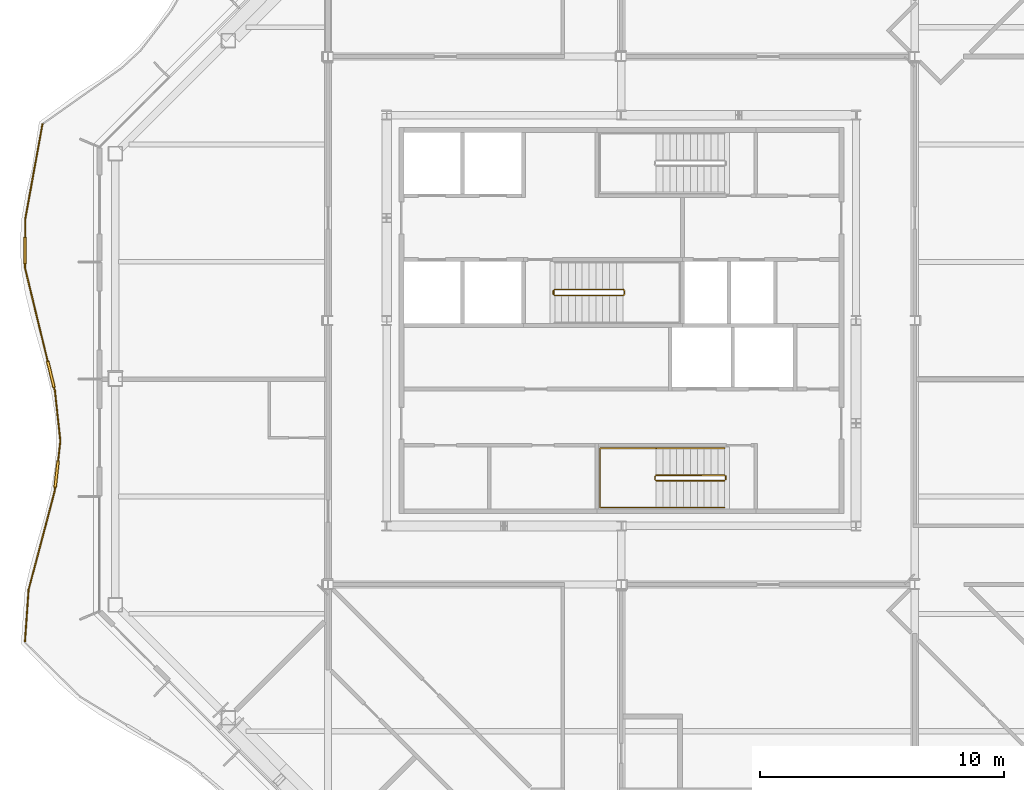
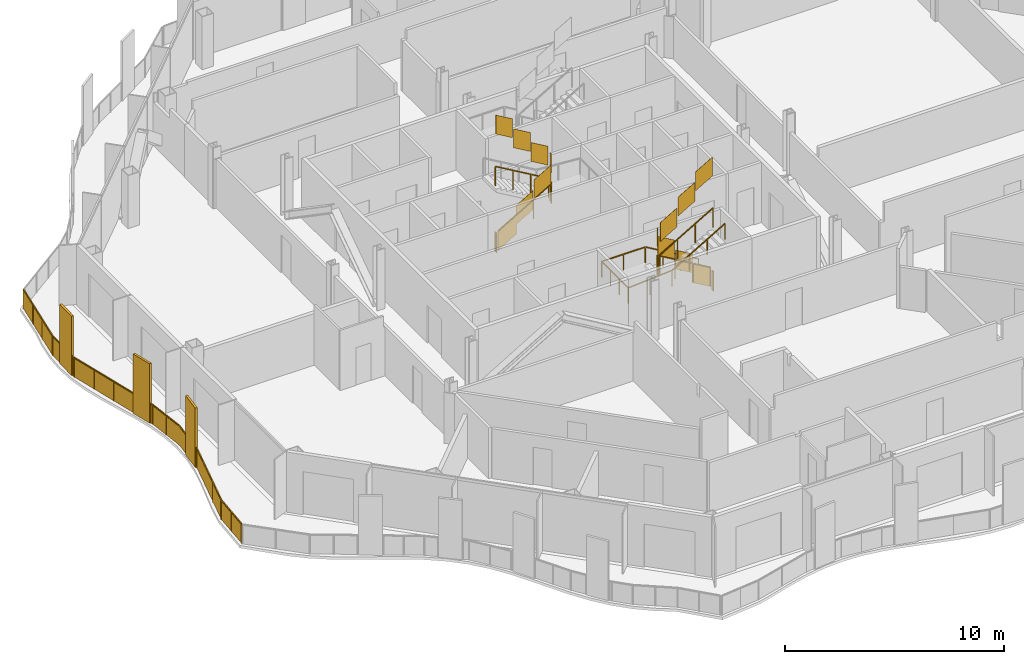
# One storey, part 16 of 19: 6 railings.
"""IFC4 building model written with IfcOpenShell, lengths in metres."""

from ifc_helpers import new_model, si_unit, direction, frame, origin, origin_2d, place, context, subcontext, project, spatial, polyline, rectangle, outline, extrude, material, type_object, element, save


model = new_model("IFC4")

# Units and contexts
model_context = context("Model", 3, precision=1e-05, world=origin(), true_north=direction((0.0, 1.0)))
body_context = subcontext(model_context, "Body", "Model", "MODEL_VIEW")
ifc_project = project(units=[si_unit("LENGTHUNIT", "METRE"), si_unit("AREAUNIT", "SQUARE_METRE"), si_unit("VOLUMEUNIT", "CUBIC_METRE"), si_unit("PLANEANGLEUNIT", "RADIAN"), si_unit("MASSUNIT", "GRAM", prefix="KILO")], contexts=[model_context])

# Site, building, storey
site_placement = place(None, origin())
site = spatial("IfcSite", under=ifc_project, at=site_placement, CompositionType="ELEMENT")
building_placement = place(site_placement, origin())
building = spatial("IfcBuilding", under=site, at=building_placement, Name="Cairn Pilgrim Tower", CompositionType="ELEMENT")
storey_placement = place(building_placement, frame((0.0, 0.0, 201.0)))
storey = spatial("IfcBuildingStorey", under=building, at=storey_placement, Name="L51", CompositionType="ELEMENT", Elevation=201.0)

# Railings
ifc_material_1 = material(Name="Bronze anodised aluminium rail, posts and fin screens with laminated glass infill", Category="aluminium")
railing_type_1 = type_object("IfcRailingType", Name="BALCONY GUARD WITH FIN SCREENS", PredefinedType="GUARDRAIL", material=ifc_material_1)
railing_1_placement = place(storey_placement, frame((-16.482177734375, 10.43212890625, 0.0)))
element("IfcRailing", 1, at=railing_1_placement, inside=storey, type_object=railing_type_1, Name="Balcony guard BGF-7 with fin screens", PredefinedType="GUARDRAIL", context=body_context, shape_type="SweptSolid", body=[
    extrude(rectangle(XDim=0.050048828125, YDim=0.050048828125, at=origin_2d()), frame((0.0, 0.0, 1.0751953125), z_axis=(-0.178176650174, -0.983998516936, 0.0), x_axis=(0.983998516936, -0.178176650174, 0.0)), (0.0, 0.0, 1.0), 3.940673828125),
    extrude(rectangle(XDim=1.10009765625, YDim=0.110107421875, at=origin_2d()), frame((-0.71142578125, -5.167236328125, 0.0), z_axis=(0.0, 0.0, 1.0), x_axis=(-0.007239074117, -0.99997379756, 0.0)), (0.0, 0.0, 1.0), 3.300048828125),
    extrude(rectangle(XDim=0.050048828125, YDim=0.050048828125, at=origin_2d()), frame((-0.7021484375, -3.877685546875, 1.0751953125), z_axis=(-0.007239074117, -0.99997379756, 0.0), x_axis=(0.99997379756, -0.007239074117, 0.0)), (0.0, 0.0, 1.0), 0.73974609375),
    extrude(rectangle(XDim=0.050048828125, YDim=0.050048828125, at=origin_2d()), frame((-0.715576171875, -5.71728515625, 1.0751953125), z_axis=(-0.007239074117, -0.99997379756, 0.0), x_axis=(0.99997379756, -0.007239074117, 0.0)), (0.0, 0.0, 1.0), 0.150146484375),
    extrude(rectangle(XDim=1.10009765625, YDim=0.110107421875, at=origin_2d()), frame((0.344970703125, -10.231201171875, 0.0), z_axis=(0.0, 0.0, 1.0), x_axis=(0.23637798131, -0.971661180634, 0.0)), (0.0, 0.0, 1.0), 3.300048828125),
    extrude(rectangle(XDim=0.050048828125, YDim=0.050048828125, at=origin_2d()), frame((-0.716552734375, -5.867431640625, 1.0751953125), z_axis=(0.23637798131, -0.971661180634, 0.0), x_axis=(0.971661180634, 0.23637798131, 0.0)), (0.0, 0.0, 1.0), 3.941162109375),
    extrude(rectangle(XDim=0.050048828125, YDim=0.050048828125, at=origin_2d()), frame((0.47509765625, -10.765625, 1.0751953125), z_axis=(0.23637798131, -0.971661180634, 0.0), x_axis=(0.971661180634, 0.23637798131, 0.0)), (0.0, 0.0, 1.0), 0.14990234375),
    extrude(rectangle(XDim=0.050048828125, YDim=0.050048828125, at=origin_2d()), frame((0.510498046875, -10.911376953125, 1.0751953125), z_axis=(0.108115215138, -0.994138370779, 0.0), x_axis=(0.994138370779, 0.108115215138, 0.0)), (0.0, 0.0, 1.0), 2.059326171875),
    extrude(rectangle(XDim=1.10009765625, YDim=0.110107421875, at=origin_2d()), frame((0.580322265625, -14.3115234375, 0.0), z_axis=(0.0, 0.0, 1.0), x_axis=(-0.112263989917, -0.993678417079, 0.0)), (0.0, 0.0, 1.0), 3.300048828125),
    extrude(rectangle(XDim=0.050048828125, YDim=0.050048828125, at=origin_2d()), frame((0.733154296875, -12.958740234375, 1.0751953125), z_axis=(-0.112263989917, -0.993678417079, 0.0), x_axis=(0.993678417079, -0.112263989917, 0.0)), (0.0, 0.0, 1.0), 0.8115234375),
    extrude(rectangle(XDim=0.050048828125, YDim=0.050048828125, at=origin_2d()), frame((0.5185546875, -14.858154296875, 1.0751953125), z_axis=(-0.112263989917, -0.993678417079, 0.0), x_axis=(0.993678417079, -0.112263989917, 0.0)), (0.0, 0.0, 1.0), 0.150146484375),
    extrude(rectangle(XDim=0.050048828125, YDim=0.050048828125, at=origin_2d()), frame((0.501708984375, -15.00732421875, 1.0751953125), z_axis=(-0.255727114517, -0.966749007189, 0.0), x_axis=(0.966749007189, -0.255727114517, 0.0)), (0.0, 0.0, 1.0), 4.177734375),
    extrude(rectangle(XDim=0.050048828125, YDim=0.050048828125, at=origin_2d()), frame((-0.566650390625, -19.046142578125, 1.0751953125), z_axis=(-0.069425726932, -0.997587123233, 0.0), x_axis=(0.997587123233, -0.069425726932, 0.0)), (0.0, 0.0, 1.0), 2.095947265625),
    extrude(rectangle(XDim=0.050048828125, YDim=0.050048828125, at=origin_2d()), origin(), (0.0, 0.0, 1.0), 1.050048828125),
    extrude(rectangle(XDim=0.050048828125, YDim=0.050048828125, at=origin_2d()), frame((-0.234130859375, -1.29248046875, 0.0)), (0.0, 0.0, 1.0), 1.050048828125),
    extrude(rectangle(XDim=0.050048828125, YDim=0.050048828125, at=origin_2d()), frame((-0.468017578125, -2.585205078125, 0.0)), (0.0, 0.0, 1.0), 1.050048828125),
    extrude(rectangle(XDim=0.050048828125, YDim=0.050048828125, at=origin_2d()), frame((-0.7021484375, -3.877685546875, 0.0)), (0.0, 0.0, 1.0), 1.050048828125),
    extrude(rectangle(XDim=0.050048828125, YDim=0.050048828125, at=origin_2d()), frame((-0.707275390625, -4.59228515625, 0.0)), (0.0, 0.0, 1.0), 1.050048828125),
    extrude(rectangle(XDim=0.050048828125, YDim=0.050048828125, at=origin_2d()), frame((-0.715576171875, -5.742431640625, 0.0)), (0.0, 0.0, 1.0), 1.050048828125),
    extrude(rectangle(XDim=0.050048828125, YDim=0.050048828125, at=origin_2d()), frame((-0.716552734375, -5.867431640625, 0.0)), (0.0, 0.0, 1.0), 1.050048828125),
    extrude(rectangle(XDim=0.050048828125, YDim=0.050048828125, at=origin_2d()), frame((-0.407958984375, -7.1357421875, 0.0)), (0.0, 0.0, 1.0), 1.050048828125),
    extrude(rectangle(XDim=0.050048828125, YDim=0.050048828125, at=origin_2d()), frame((-0.099365234375, -8.404052734375, 0.0)), (0.0, 0.0, 1.0), 1.050048828125),
    extrude(rectangle(XDim=0.050048828125, YDim=0.050048828125, at=origin_2d()), frame((0.209228515625, -9.672607421875, 0.0)), (0.0, 0.0, 1.0), 1.050048828125),
    extrude(rectangle(XDim=0.050048828125, YDim=0.050048828125, at=origin_2d()), frame((0.48095703125, -10.7900390625, 0.0)), (0.0, 0.0, 1.0), 1.050048828125),
    extrude(rectangle(XDim=0.050048828125, YDim=0.050048828125, at=origin_2d()), frame((0.510498046875, -10.911376953125, 0.0)), (0.0, 0.0, 1.0), 1.050048828125),
    extrude(rectangle(XDim=0.050048828125, YDim=0.050048828125, at=origin_2d()), frame((0.621826171875, -11.93505859375, 0.0)), (0.0, 0.0, 1.0), 1.050048828125),
    extrude(rectangle(XDim=0.050048828125, YDim=0.050048828125, at=origin_2d()), frame((0.733154296875, -12.958740234375, 0.0)), (0.0, 0.0, 1.0), 1.050048828125),
    extrude(rectangle(XDim=0.050048828125, YDim=0.050048828125, at=origin_2d()), frame((0.644775390625, -13.740234375, 0.0)), (0.0, 0.0, 1.0), 1.050048828125),
    extrude(rectangle(XDim=0.050048828125, YDim=0.050048828125, at=origin_2d()), frame((0.515869140625, -14.883056640625, 0.0)), (0.0, 0.0, 1.0), 1.050048828125),
    extrude(rectangle(XDim=0.050048828125, YDim=0.050048828125, at=origin_2d()), frame((0.501708984375, -15.00732421875, 0.0)), (0.0, 0.0, 1.0), 1.050048828125),
    extrude(rectangle(XDim=0.050048828125, YDim=0.050048828125, at=origin_2d()), frame((0.1455078125, -16.353515625, 0.0)), (0.0, 0.0, 1.0), 1.050048828125),
    extrude(rectangle(XDim=0.050048828125, YDim=0.050048828125, at=origin_2d()), frame((-0.21044921875, -17.699951171875, 0.0)), (0.0, 0.0, 1.0), 1.050048828125),
    extrude(rectangle(XDim=0.050048828125, YDim=0.050048828125, at=origin_2d()), frame((-0.566650390625, -19.046142578125, 0.0)), (0.0, 0.0, 1.0), 1.050048828125),
    extrude(rectangle(XDim=0.050048828125, YDim=0.050048828125, at=origin_2d()), frame((-0.639404296875, -20.091552734375, 0.0)), (0.0, 0.0, 1.0), 1.050048828125),
    extrude(rectangle(XDim=0.050048828125, YDim=0.050048828125, at=origin_2d()), frame((-0.712158203125, -21.136962890625, 0.0)), (0.0, 0.0, 1.0), 1.050048828125),
    extrude(outline(polyline([(0.02490234375, 0.0), (1.28857421875, 0.0), (1.28857421875, 1.050048828125), (0.02490234375, 1.050048828125), (0.02490234375, 0.0)])), frame((0.005859375, -0.0009765625, 0.0), z_axis=(-0.983998516936, 0.178176650174, 0.0), x_axis=(-0.178176650174, -0.983998516936, 0.0)), (0.0, 0.0, 1.0), 0.011962890625),
    extrude(outline(polyline([(0.02490234375, 0.0), (1.28857421875, 0.0), (1.28857421875, 1.050048828125), (0.02490234375, 1.050048828125), (0.02490234375, 0.0)])), frame((-0.228271484375, -1.293701171875, 0.0), z_axis=(-0.983998516936, 0.178176650174, 0.0), x_axis=(-0.178176650174, -0.983998516936, 0.0)), (0.0, 0.0, 1.0), 0.011962890625),
    extrude(outline(polyline([(0.02490234375, 0.0), (1.28857421875, 0.0), (1.28857421875, 1.050048828125), (0.02490234375, 1.050048828125), (0.02490234375, 0.0)])), frame((-0.462158203125, -2.586181640625, 0.0), z_axis=(-0.983998516936, 0.178176650174, 0.0), x_axis=(-0.178176650174, -0.983998516936, 0.0)), (0.0, 0.0, 1.0), 0.011962890625),
    extrude(outline(polyline([(0.02490234375, 0.0), (0.689697265625, 0.0), (0.689697265625, 1.050048828125), (0.02490234375, 1.050048828125), (0.02490234375, 0.0)])), frame((-0.6962890625, -3.877685546875, 0.0), z_axis=(-0.99997379756, 0.007239074117, 0.0), x_axis=(-0.007239074117, -0.99997379756, 0.0)), (0.0, 0.0, 1.0), 0.011962890625),
    extrude(outline(polyline([(0.02490234375, 0.0), (0.10009765625, 0.0), (0.10009765625, 1.050048828125), (0.02490234375, 1.050048828125), (0.02490234375, 0.0)])), frame((-0.709716796875, -5.742431640625, 0.0), z_axis=(-0.99997379756, 0.007239074117, 0.0), x_axis=(-0.007239074117, -0.99997379756, 0.0)), (0.0, 0.0, 1.0), 0.011962890625),
    extrude(outline(polyline([(0.02490234375, 0.0), (1.2802734375, 0.0), (1.2802734375, 1.050048828125), (0.02490234375, 1.050048828125), (0.02490234375, 0.0)])), frame((-0.710693359375, -5.865966796875, 0.0), z_axis=(-0.971661180634, -0.23637798131, 0.0), x_axis=(0.23637798131, -0.971661180634, 0.0)), (0.0, 0.0, 1.0), 0.011962890625),
    extrude(outline(polyline([(0.02490234375, 0.0), (1.2802734375, 0.0), (1.2802734375, 1.050048828125), (0.02490234375, 1.050048828125), (0.02490234375, 0.0)])), frame((-0.402099609375, -7.13427734375, 0.0), z_axis=(-0.971661180634, -0.23637798131, 0.0), x_axis=(0.23637798131, -0.971661180634, 0.0)), (0.0, 0.0, 1.0), 0.011962890625),
    extrude(outline(polyline([(0.02490234375, 0.0), (1.2802734375, 0.0), (1.2802734375, 1.050048828125), (0.02490234375, 1.050048828125), (0.02490234375, 0.0)])), frame((-0.09375, -8.40283203125, 0.0), z_axis=(-0.971661180634, -0.23637798131, 0.0), x_axis=(0.23637798131, -0.971661180634, 0.0)), (0.0, 0.0, 1.0), 0.011962890625),
    extrude(outline(polyline([(0.02490234375, 0.0), (0.099853515625, 0.0), (0.099853515625, 1.050048828125), (0.02490234375, 1.050048828125), (0.02490234375, 0.0)])), frame((0.48681640625, -10.78857421875, 0.0), z_axis=(-0.971661180634, -0.23637798131, 0.0), x_axis=(0.23637798131, -0.971661180634, 0.0)), (0.0, 0.0, 1.0), 0.011962890625),
    extrude(outline(polyline([(0.02490234375, 0.0), (1.004638671875, 0.0), (1.004638671875, 1.050048828125), (0.02490234375, 1.050048828125), (0.02490234375, 0.0)])), frame((0.516357421875, -10.91064453125, 0.0), z_axis=(-0.994138370779, -0.108115215138, 0.0), x_axis=(0.108115215138, -0.994138370779, 0.0)), (0.0, 0.0, 1.0), 0.011962890625),
    extrude(outline(polyline([(0.02490234375, 0.0), (1.004638671875, 0.0), (1.004638671875, 1.050048828125), (0.02490234375, 1.050048828125), (0.02490234375, 0.0)])), frame((0.627685546875, -11.934326171875, 0.0), z_axis=(-0.994138370779, -0.108115215138, 0.0), x_axis=(0.108115215138, -0.994138370779, 0.0)), (0.0, 0.0, 1.0), 0.011962890625),
    extrude(outline(polyline([(0.02490234375, 0.0), (0.761474609375, 0.0), (0.761474609375, 1.050048828125), (0.02490234375, 1.050048828125), (0.02490234375, 0.0)])), frame((0.739013671875, -12.95947265625, 0.0), z_axis=(-0.993678417079, 0.112263989917, 0.0), x_axis=(-0.112263989917, -0.993678417079, 0.0)), (0.0, 0.0, 1.0), 0.011962890625),
    extrude(outline(polyline([(0.02490234375, 0.0), (0.10009765625, 0.0), (0.10009765625, 1.050048828125), (0.02490234375, 1.050048828125), (0.02490234375, 0.0)])), frame((0.521728515625, -14.883544921875, 0.0), z_axis=(-0.993678417079, 0.112263989917, 0.0), x_axis=(-0.112263989917, -0.993678417079, 0.0)), (0.0, 0.0, 1.0), 0.011962890625),
    extrude(outline(polyline([(0.02490234375, 0.0), (1.367431640625, 0.0), (1.367431640625, 1.050048828125), (0.02490234375, 1.050048828125), (0.02490234375, 0.0)])), frame((0.507568359375, -15.0087890625, 0.0), z_axis=(-0.966749007189, 0.255727114517, 0.0), x_axis=(-0.255727114517, -0.966749007189, 0.0)), (0.0, 0.0, 1.0), 0.011962890625),
    extrude(outline(polyline([(0.02490234375, 0.0), (1.367431640625, 0.0), (1.367431640625, 1.050048828125), (0.02490234375, 1.050048828125), (0.02490234375, 0.0)])), frame((0.1513671875, -16.355224609375, 0.0), z_axis=(-0.966749007189, 0.255727114517, 0.0), x_axis=(-0.255727114517, -0.966749007189, 0.0)), (0.0, 0.0, 1.0), 0.011962890625),
    extrude(outline(polyline([(0.02490234375, 0.0), (1.367431640625, 0.0), (1.367431640625, 1.050048828125), (0.02490234375, 1.050048828125), (0.02490234375, 0.0)])), frame((-0.204833984375, -17.701416015625, 0.0), z_axis=(-0.966749007189, 0.255727114517, 0.0), x_axis=(-0.255727114517, -0.966749007189, 0.0)), (0.0, 0.0, 1.0), 0.011962890625),
    extrude(outline(polyline([(0.02490234375, 0.0), (1.02294921875, 0.0), (1.02294921875, 1.050048828125), (0.02490234375, 1.050048828125), (0.02490234375, 0.0)])), frame((-0.560791015625, -19.046630859375, 0.0), z_axis=(-0.997587123233, 0.069425726932, 0.0), x_axis=(-0.069425726932, -0.997587123233, 0.0)), (0.0, 0.0, 1.0), 0.011962890625),
    extrude(outline(polyline([(0.02490234375, 0.0), (1.02294921875, 0.0), (1.02294921875, 1.050048828125), (0.02490234375, 1.050048828125), (0.02490234375, 0.0)])), frame((-0.633544921875, -20.092041015625, 0.0), z_axis=(-0.997587123233, 0.069425726932, 0.0), x_axis=(-0.069425726932, -0.997587123233, 0.0)), (0.0, 0.0, 1.0), 0.011962890625),
])
ifc_material_2 = material(Name="Painted steel", Category="steel")
railing_type_2 = type_object("IfcRailingType", Name="STAIR GUARD 1100", PredefinedType="GUARDRAIL", material=ifc_material_2)
railing_2_placement = place(storey_placement, frame((11.425048828125, -3.925048828125, 0.16357421875)))
element("IfcRailing", 2, at=railing_2_placement, inside=storey, type_object=railing_type_2, Name="L51 ST-A stair guard 1", PredefinedType="GUARDRAIL", context=body_context, shape_type="SweptSolid", body=[
    extrude(rectangle(XDim=0.048095703125, YDim=0.048095703125, at=origin_2d()), frame((0.0, 0.0, 1.076171875), z_axis=(-0.863360870873, 0.0, 0.504586966384), x_axis=(0.0, -1.0, 0.0)), (0.0, 0.0, 1.0), 3.2431640625),
    extrude(rectangle(XDim=0.048095703125, YDim=0.048095703125, at=origin_2d()), frame((-2.800048828125, 0.0, 2.71240234375), z_axis=(-0.707106781187, -0.707106781187, 0.0), x_axis=(0.707106781187, -0.707106781187, 0.0)), (0.0, 0.0, 1.0), 0.07080078125),
    extrude(rectangle(XDim=0.048095703125, YDim=0.048095703125, at=origin_2d()), frame((-2.85009765625, -0.050048828125, 2.71240234375), z_axis=(0.0, -1.0, 0.0), x_axis=(1.0, 0.0, 0.0)), (0.0, 0.0, 1.0), 0.125),
    extrude(rectangle(XDim=0.048095703125, YDim=0.048095703125, at=origin_2d()), frame((-2.85009765625, -0.175048828125, 2.71240234375), z_axis=(0.280916556609, -0.279546231943, 0.91811752648), x_axis=(0.705375805398, 0.708833529934, 0.0)), (0.0, 0.0, 1.0), 0.17822265625),
    extrude(rectangle(XDim=0.048095703125, YDim=0.048095703125, at=origin_2d()), frame((-2.800048828125, -0.224853515625, 2.8759765625), z_axis=(0.863360870873, 0.0, 0.504586966384), x_axis=(0.0, 1.0, 0.0)), (0.0, 0.0, 1.0), 3.2431640625),
    extrude(rectangle(XDim=0.0419921875, YDim=0.0419921875, at=origin_2d()), origin(), (0.0, 0.0, 1.0), 1.052001953125),
    extrude(rectangle(XDim=0.0419921875, YDim=0.0419921875, at=origin_2d()), frame((-0.933349609375, 0.0, 0.54541015625)), (0.0, 0.0, 1.0), 1.052001953125),
    extrude(rectangle(XDim=0.0419921875, YDim=0.0419921875, at=origin_2d()), frame((-1.86669921875, 0.0, 1.091064453125)), (0.0, 0.0, 1.0), 1.052001953125),
    extrude(rectangle(XDim=0.0419921875, YDim=0.0419921875, at=origin_2d()), frame((-2.800048828125, 0.0, 1.636474609375)), (0.0, 0.0, 1.0), 1.052001953125),
    extrude(rectangle(XDim=0.0419921875, YDim=0.0419921875, at=origin_2d()), frame((-2.85009765625, -0.050048828125, 1.636474609375)), (0.0, 0.0, 1.0), 1.052001953125),
    extrude(rectangle(XDim=0.0419921875, YDim=0.0419921875, at=origin_2d()), frame((-2.85009765625, -0.175048828125, 1.636474609375)), (0.0, 0.0, 1.0), 1.052001953125),
    extrude(rectangle(XDim=0.0419921875, YDim=0.0419921875, at=origin_2d()), frame((-2.800048828125, -0.224853515625, 1.800048828125)), (0.0, 0.0, 1.0), 1.052001953125),
    extrude(rectangle(XDim=0.0419921875, YDim=0.0419921875, at=origin_2d()), frame((-1.86669921875, -0.224853515625, 2.345458984375)), (0.0, 0.0, 1.0), 1.052001953125),
    extrude(rectangle(XDim=0.0419921875, YDim=0.0419921875, at=origin_2d()), frame((-0.933349609375, -0.224853515625, 2.89111328125)), (0.0, 0.0, 1.0), 1.052001953125),
    extrude(rectangle(XDim=0.0419921875, YDim=0.0419921875, at=origin_2d()), frame((0.0, -0.224853515625, 3.4365234375)), (0.0, 0.0, 1.0), 1.052001953125),
    extrude(outline(polyline([(0.02099609375, 0.01220703125), (0.912353515625, 0.533203125), (0.912353515625, 1.585205078125), (0.02099609375, 1.064208984375), (0.02099609375, 0.01220703125)])), frame((0.0, -0.005859375, 0.0), z_axis=(0.0, 1.0, 0.0), x_axis=(-1.0, 0.0, 0.0)), (0.0, 0.0, 1.0), 0.011962890625),
    extrude(outline(polyline([(0.02099609375, 0.557861328125), (0.912353515625, 1.07861328125), (0.912353515625, 2.130615234375), (0.02099609375, 1.60986328125), (0.02099609375, 0.557861328125)])), frame((-0.933349609375, -0.005859375, 0.54541015625), z_axis=(0.0, 1.0, 0.0), x_axis=(-1.0, 0.0, 0.0)), (0.0, 0.0, 1.0), 0.011962890625),
    extrude(outline(polyline([(0.02099609375, 1.103271484375), (0.912353515625, 1.624267578125), (0.912353515625, 2.67626953125), (0.02099609375, 2.1552734375), (0.02099609375, 1.103271484375)])), frame((-1.86669921875, -0.005859375, 1.091064453125), z_axis=(0.0, 1.0, 0.0), x_axis=(-1.0, 0.0, 0.0)), (0.0, 0.0, 1.0), 0.011962890625),
    extrude(outline(polyline([(0.02099609375, 1.636474609375), (0.10400390625, 1.636474609375), (0.10400390625, 2.6884765625), (0.02099609375, 2.6884765625), (0.02099609375, 1.636474609375)])), frame((-2.84423828125, -0.050048828125, 1.636474609375), z_axis=(-1.0, 0.0, 0.0), x_axis=(0.0, -1.0, 0.0)), (0.0, 0.0, 1.0), 0.011962890625),
    extrude(outline(polyline([(0.02099609375, 1.812255859375), (0.912353515625, 2.333251953125), (0.912353515625, 3.38525390625), (0.02099609375, 2.8642578125), (0.02099609375, 1.812255859375)])), frame((-2.800048828125, -0.21875, 1.800048828125), z_axis=(0.0, -1.0, 0.0), x_axis=(1.0, 0.0, 0.0)), (0.0, 0.0, 1.0), 0.011962890625),
    extrude(outline(polyline([(0.02099609375, 2.35791015625), (0.912353515625, 2.878662109375), (0.912353515625, 3.9306640625), (0.02099609375, 3.409912109375), (0.02099609375, 2.35791015625)])), frame((-1.86669921875, -0.21875, 2.345458984375), z_axis=(0.0, -1.0, 0.0), x_axis=(1.0, 0.0, 0.0)), (0.0, 0.0, 1.0), 0.011962890625),
    extrude(outline(polyline([(0.02099609375, 2.9033203125), (0.912353515625, 3.42431640625), (0.912353515625, 4.476318359375), (0.02099609375, 3.955322265625), (0.02099609375, 2.9033203125)])), frame((-0.933349609375, -0.21875, 2.89111328125), z_axis=(0.0, -1.0, 0.0), x_axis=(1.0, 0.0, 0.0)), (0.0, 0.0, 1.0), 0.011962890625),
])
railing_3_placement = place(storey_placement, frame((11.47509765625, -3.97509765625, 0.0)))
element("IfcRailing", 3, at=railing_3_placement, inside=storey, type_object=railing_type_2, Name="L51 ST-A stair guard 2", PredefinedType="GUARDRAIL", context=body_context, shape_type="SweptSolid", body=[
    extrude(rectangle(XDim=0.048095703125, YDim=0.048095703125, at=origin_2d()), frame((0.0, 0.0, 1.076171875), z_axis=(0.0, -1.0, 0.0), x_axis=(1.0, 0.0, 0.0)), (0.0, 0.0, 1.0), 0.125),
    extrude(rectangle(XDim=0.0419921875, YDim=0.0419921875, at=origin_2d()), origin(), (0.0, 0.0, 1.0), 1.052001953125),
    extrude(rectangle(XDim=0.0419921875, YDim=0.0419921875, at=origin_2d()), frame((0.0, -0.125, 0.0)), (0.0, 0.0, 1.0), 1.052001953125),
    extrude(outline(polyline([(0.02099609375, 0.0), (0.10400390625, 0.0), (0.10400390625, 1.052001953125), (0.02099609375, 1.052001953125), (0.02099609375, 0.0)])), frame((0.005859375, 0.0, 0.0), z_axis=(-1.0, 0.0, 0.0), x_axis=(0.0, -1.0, 0.0)), (0.0, 0.0, 1.0), 0.011962890625),
])
railing_4_placement = place(storey_placement, frame((4.47509765625, 3.425048828125, 0.16357421875)))
element("IfcRailing", 4, at=railing_4_placement, inside=storey, type_object=railing_type_2, Name="L51 ST-B stair guard 1", PredefinedType="GUARDRAIL", context=body_context, shape_type="SweptSolid", body=[
    extrude(rectangle(XDim=0.048095703125, YDim=0.048095703125, at=origin_2d()), frame((0.0, 0.0, 1.076171875), z_axis=(0.863341702679, 0.0, 0.504619762213), x_axis=(0.0, 1.0, 0.0)), (0.0, 0.0, 1.0), 3.242919921875),
    extrude(rectangle(XDim=0.048095703125, YDim=0.048095703125, at=origin_2d()), frame((2.7998046875, 0.0, 2.71240234375), z_axis=(0.707106781187, 0.707106781187, 0.0), x_axis=(-0.707106781187, 0.707106781187, 0.0)), (0.0, 0.0, 1.0), 0.07080078125),
    extrude(rectangle(XDim=0.048095703125, YDim=0.048095703125, at=origin_2d()), frame((2.849853515625, 0.050048828125, 2.71240234375), z_axis=(0.0, 1.0, 0.0), x_axis=(-1.0, 0.0, 0.0)), (0.0, 0.0, 1.0), 0.14990234375),
    extrude(rectangle(XDim=0.048095703125, YDim=0.048095703125, at=origin_2d()), frame((2.849853515625, 0.199951171875, 2.71240234375), z_axis=(-0.280808744504, 0.280808744504, 0.917765164963), x_axis=(-0.707106781187, -0.707106781187, 0.0)), (0.0, 0.0, 1.0), 0.17822265625),
    extrude(rectangle(XDim=0.048095703125, YDim=0.048095703125, at=origin_2d()), frame((2.7998046875, 0.25, 2.8759765625), z_axis=(-0.863341702679, 0.0, 0.504619762213), x_axis=(0.0, -1.0, 0.0)), (0.0, 0.0, 1.0), 3.242919921875),
    extrude(rectangle(XDim=0.0419921875, YDim=0.0419921875, at=origin_2d()), origin(), (0.0, 0.0, 1.0), 1.052001953125),
    extrude(rectangle(XDim=0.0419921875, YDim=0.0419921875, at=origin_2d()), frame((0.933349609375, 0.0, 0.54541015625)), (0.0, 0.0, 1.0), 1.052001953125),
    extrude(rectangle(XDim=0.0419921875, YDim=0.0419921875, at=origin_2d()), frame((1.866455078125, 0.0, 1.091064453125)), (0.0, 0.0, 1.0), 1.052001953125),
    extrude(rectangle(XDim=0.0419921875, YDim=0.0419921875, at=origin_2d()), frame((2.7998046875, 0.0, 1.636474609375)), (0.0, 0.0, 1.0), 1.052001953125),
    extrude(rectangle(XDim=0.0419921875, YDim=0.0419921875, at=origin_2d()), frame((2.849853515625, 0.050048828125, 1.636474609375)), (0.0, 0.0, 1.0), 1.052001953125),
    extrude(rectangle(XDim=0.0419921875, YDim=0.0419921875, at=origin_2d()), frame((2.849853515625, 0.199951171875, 1.636474609375)), (0.0, 0.0, 1.0), 1.052001953125),
    extrude(rectangle(XDim=0.0419921875, YDim=0.0419921875, at=origin_2d()), frame((2.7998046875, 0.25, 1.800048828125)), (0.0, 0.0, 1.0), 1.052001953125),
    extrude(rectangle(XDim=0.0419921875, YDim=0.0419921875, at=origin_2d()), frame((1.866455078125, 0.25, 2.345458984375)), (0.0, 0.0, 1.0), 1.052001953125),
    extrude(rectangle(XDim=0.0419921875, YDim=0.0419921875, at=origin_2d()), frame((0.933349609375, 0.25, 2.89111328125)), (0.0, 0.0, 1.0), 1.052001953125),
    extrude(rectangle(XDim=0.0419921875, YDim=0.0419921875, at=origin_2d()), frame((0.0, 0.25, 3.4365234375)), (0.0, 0.0, 1.0), 1.052001953125),
    extrude(outline(polyline([(0.02099609375, 0.01220703125), (0.912353515625, 0.533203125), (0.912353515625, 1.585205078125), (0.02099609375, 1.064208984375), (0.02099609375, 0.01220703125)])), frame((0.0, 0.005859375, 0.0), z_axis=(0.0, -1.0, 0.0), x_axis=(1.0, 0.0, 0.0)), (0.0, 0.0, 1.0), 0.011962890625),
    extrude(outline(polyline([(0.02099609375, 0.557861328125), (0.912353515625, 1.07861328125), (0.912353515625, 2.130615234375), (0.02099609375, 1.60986328125), (0.02099609375, 0.557861328125)])), frame((0.933349609375, 0.005859375, 0.54541015625), z_axis=(0.0, -1.0, 0.0), x_axis=(1.0, 0.0, 0.0)), (0.0, 0.0, 1.0), 0.011962890625),
    extrude(outline(polyline([(0.02099609375, 1.103271484375), (0.912353515625, 1.624267578125), (0.912353515625, 2.67626953125), (0.02099609375, 2.1552734375), (0.02099609375, 1.103271484375)])), frame((1.866455078125, 0.005859375, 1.091064453125), z_axis=(0.0, -1.0, 0.0), x_axis=(1.0, 0.0, 0.0)), (0.0, 0.0, 1.0), 0.011962890625),
    extrude(outline(polyline([(0.02099609375, 1.636474609375), (0.12890625, 1.636474609375), (0.12890625, 2.6884765625), (0.02099609375, 2.6884765625), (0.02099609375, 1.636474609375)])), frame((2.84375, 0.050048828125, 1.636474609375), z_axis=(1.0, 0.0, 0.0), x_axis=(0.0, 1.0, 0.0)), (0.0, 0.0, 1.0), 0.011962890625),
    extrude(outline(polyline([(0.02099609375, 1.812255859375), (0.912353515625, 2.333251953125), (0.912353515625, 3.38525390625), (0.02099609375, 2.8642578125), (0.02099609375, 1.812255859375)])), frame((2.7998046875, 0.244140625, 1.800048828125), z_axis=(0.0, 1.0, 0.0), x_axis=(-1.0, 0.0, 0.0)), (0.0, 0.0, 1.0), 0.011962890625),
    extrude(outline(polyline([(0.02099609375, 2.35791015625), (0.912353515625, 2.878662109375), (0.912353515625, 3.9306640625), (0.02099609375, 3.409912109375), (0.02099609375, 2.35791015625)])), frame((1.866455078125, 0.244140625, 2.345458984375), z_axis=(0.0, 1.0, 0.0), x_axis=(-1.0, 0.0, 0.0)), (0.0, 0.0, 1.0), 0.011962890625),
    extrude(outline(polyline([(0.02099609375, 2.9033203125), (0.912353515625, 3.42431640625), (0.912353515625, 4.476318359375), (0.02099609375, 3.955322265625), (0.02099609375, 2.9033203125)])), frame((0.933349609375, 0.244140625, 2.89111328125), z_axis=(0.0, 1.0, 0.0), x_axis=(-1.0, 0.0, 0.0)), (0.0, 0.0, 1.0), 0.011962890625),
])
railing_5_placement = place(storey_placement, frame((4.425048828125, 3.47509765625, 0.0)))
element("IfcRailing", 5, at=railing_5_placement, inside=storey, type_object=railing_type_2, Name="L51 ST-B stair guard 2", PredefinedType="GUARDRAIL", context=body_context, shape_type="SweptSolid", body=[
    extrude(rectangle(XDim=0.048095703125, YDim=0.048095703125, at=origin_2d()), frame((0.0, 0.0, 1.076171875), z_axis=(0.0, 1.0, 0.0), x_axis=(-1.0, 0.0, 0.0)), (0.0, 0.0, 1.0), 0.14990234375),
    extrude(rectangle(XDim=0.0419921875, YDim=0.0419921875, at=origin_2d()), origin(), (0.0, 0.0, 1.0), 1.052001953125),
    extrude(rectangle(XDim=0.0419921875, YDim=0.0419921875, at=origin_2d()), frame((0.0, 0.14990234375, 0.0)), (0.0, 0.0, 1.0), 1.052001953125),
    extrude(outline(polyline([(0.02099609375, 0.0), (0.12890625, 0.0), (0.12890625, 1.052001953125), (0.02099609375, 1.052001953125), (0.02099609375, 0.0)])), frame((-0.005859375, 0.0, 0.0), z_axis=(1.0, 0.0, 0.0), x_axis=(0.0, 1.0, 0.0)), (0.0, 0.0, 1.0), 0.011962890625),
])
railing_type_3 = type_object("IfcRailingType", Name="STAIR HANDRAIL 900", PredefinedType="HANDRAIL", material=ifc_material_2)
railing_6_placement = place(storey_placement, frame((11.425048828125, -2.824951171875, 0.16357421875)))
element("IfcRailing", 6, at=railing_6_placement, inside=storey, type_object=railing_type_3, Name="L51 ST-A stair handrail 1", PredefinedType="HANDRAIL", context=body_context, shape_type="SweptSolid", body=[
    extrude(rectangle(XDim=0.048095703125, YDim=0.048095703125, at=origin_2d()), frame((0.0, 0.0, 0.8759765625), z_axis=(-0.863360870873, 0.0, 0.504586966384), x_axis=(0.0, -1.0, 0.0)), (0.0, 0.0, 1.0), 3.2431640625),
    extrude(rectangle(XDim=0.048095703125, YDim=0.048095703125, at=origin_2d()), frame((-2.800048828125, 0.0, 2.51220703125), z_axis=(-1.0, 0.0, 0.0), x_axis=(0.0, -1.0, 0.0)), (0.0, 0.0, 1.0), 2.300048828125),
    extrude(rectangle(XDim=0.048095703125, YDim=0.048095703125, at=origin_2d()), frame((-5.10009765625, 0.0, 2.51220703125), z_axis=(0.0, -1.0, 0.0), x_axis=(1.0, 0.0, 0.0)), (0.0, 0.0, 1.0), 2.425048828125),
    extrude(rectangle(XDim=0.048095703125, YDim=0.048095703125, at=origin_2d()), frame((-5.10009765625, -2.425048828125, 2.51220703125), z_axis=(0.997480687736, 0.0, 0.070938548008), x_axis=(0.0, 1.0, 0.0)), (0.0, 0.0, 1.0), 2.305908203125),
    extrude(rectangle(XDim=0.048095703125, YDim=0.048095703125, at=origin_2d()), frame((-2.800048828125, -2.425048828125, 2.67578125), z_axis=(0.863360870873, 0.0, 0.504586966384), x_axis=(0.0, 1.0, 0.0)), (0.0, 0.0, 1.0), 3.2431640625),
    extrude(rectangle(XDim=0.0419921875, YDim=0.0419921875, at=origin_2d()), origin(), (0.0, 0.0, 1.0), 0.851806640625),
    extrude(rectangle(XDim=0.0419921875, YDim=0.0419921875, at=origin_2d()), frame((-0.933349609375, 0.0, 0.54541015625)), (0.0, 0.0, 1.0), 0.851806640625),
    extrude(rectangle(XDim=0.0419921875, YDim=0.0419921875, at=origin_2d()), frame((-1.86669921875, 0.0, 1.091064453125)), (0.0, 0.0, 1.0), 0.851806640625),
    extrude(rectangle(XDim=0.0419921875, YDim=0.0419921875, at=origin_2d()), frame((-2.800048828125, 0.0, 1.636474609375)), (0.0, 0.0, 1.0), 0.851806640625),
    extrude(rectangle(XDim=0.0419921875, YDim=0.0419921875, at=origin_2d()), frame((-3.9501953125, 0.0, 1.636474609375)), (0.0, 0.0, 1.0), 0.851806640625),
    extrude(rectangle(XDim=0.0419921875, YDim=0.0419921875, at=origin_2d()), frame((-5.10009765625, 0.0, 1.636474609375)), (0.0, 0.0, 1.0), 0.851806640625),
    extrude(rectangle(XDim=0.0419921875, YDim=0.0419921875, at=origin_2d()), frame((-5.10009765625, -0.808349609375, 1.636474609375)), (0.0, 0.0, 1.0), 0.851806640625),
    extrude(rectangle(XDim=0.0419921875, YDim=0.0419921875, at=origin_2d()), frame((-5.10009765625, -1.61669921875, 1.636474609375)), (0.0, 0.0, 1.0), 0.851806640625),
    extrude(rectangle(XDim=0.0419921875, YDim=0.0419921875, at=origin_2d()), frame((-5.10009765625, -2.425048828125, 1.636474609375)), (0.0, 0.0, 1.0), 0.851806640625),
    extrude(rectangle(XDim=0.0419921875, YDim=0.0419921875, at=origin_2d()), frame((-3.9501953125, -2.425048828125, 1.71826171875)), (0.0, 0.0, 1.0), 0.851806640625),
    extrude(rectangle(XDim=0.0419921875, YDim=0.0419921875, at=origin_2d()), frame((-2.800048828125, -2.425048828125, 1.800048828125)), (0.0, 0.0, 1.0), 0.851806640625),
    extrude(rectangle(XDim=0.0419921875, YDim=0.0419921875, at=origin_2d()), frame((-1.86669921875, -2.425048828125, 2.345458984375)), (0.0, 0.0, 1.0), 0.851806640625),
    extrude(rectangle(XDim=0.0419921875, YDim=0.0419921875, at=origin_2d()), frame((-0.933349609375, -2.425048828125, 2.89111328125)), (0.0, 0.0, 1.0), 0.851806640625),
    extrude(rectangle(XDim=0.0419921875, YDim=0.0419921875, at=origin_2d()), frame((0.0, -2.425048828125, 3.4365234375)), (0.0, 0.0, 1.0), 0.851806640625),
])

save(model, "model.ifc")
